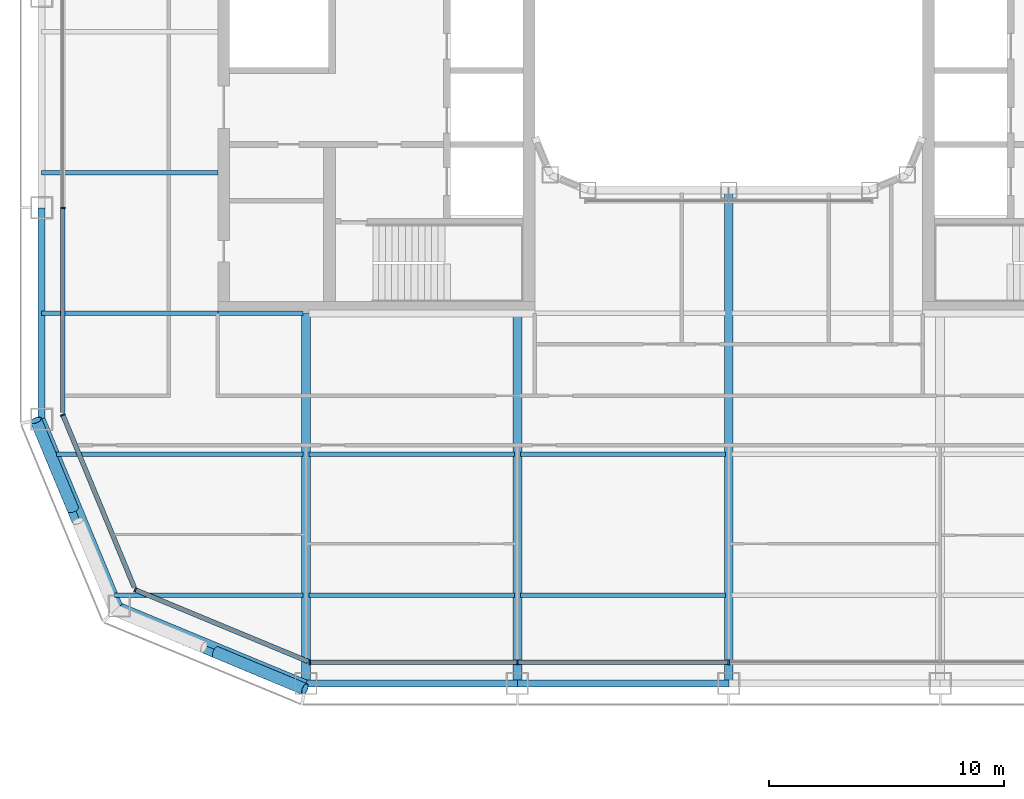
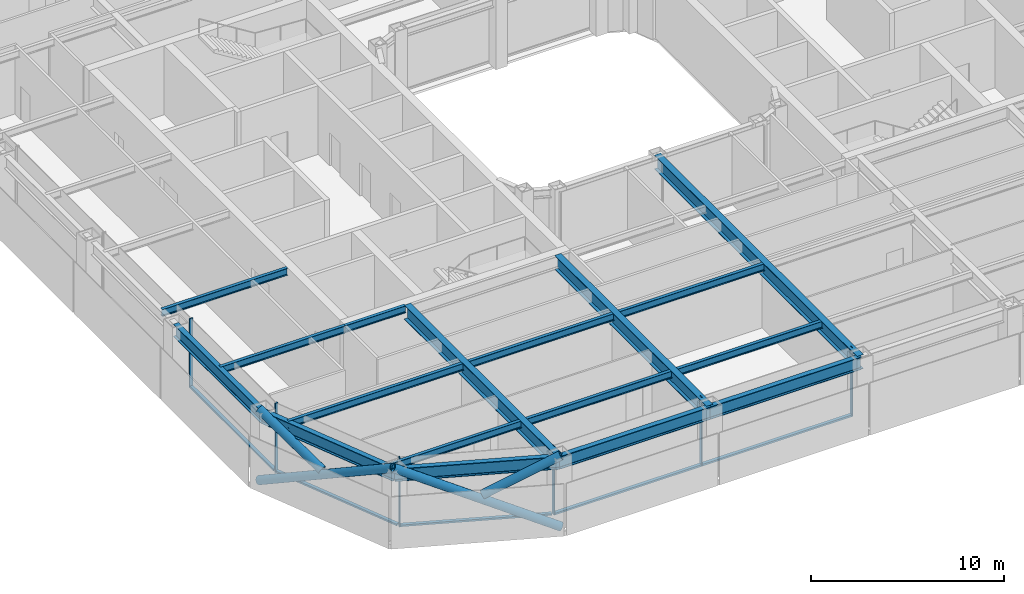
# One storey, part 2 of 23: 17 beams, 15 members, 4 elements without a shape of their own.
"""IFC4 building model written with IfcOpenShell, lengths in metres."""

from ifc_helpers import new_model, si_unit, direction, frame, origin, origin_2d, place, context, subcontext, project, spatial, rectangle, hollow_circle, i_section, extrude, material, layer, layer_set, material_profile, profile_set, type_object, element, aggregate, save


model = new_model("IFC4")

# Units and contexts
model_context = context("Model", 3, precision=1e-05, world=origin(), true_north=direction((0.0, 1.0)))
body_context = subcontext(model_context, "Body", "Model", "MODEL_VIEW")
ifc_project = project(units=[si_unit("LENGTHUNIT", "METRE"), si_unit("AREAUNIT", "SQUARE_METRE"), si_unit("VOLUMEUNIT", "CUBIC_METRE"), si_unit("PLANEANGLEUNIT", "RADIAN"), si_unit("MASSUNIT", "GRAM", prefix="KILO")], contexts=[model_context])

# Site, building, storey
site_placement = place(None, origin())
site = spatial("IfcSite", under=ifc_project, at=site_placement, CompositionType="ELEMENT")
building_placement = place(site_placement, origin())
building = spatial("IfcBuilding", under=site, at=building_placement, Name="Siwar Civic Tower", CompositionType="ELEMENT")
storey_placement = place(building_placement, frame((0.0, 0.0, 109.199951171875)))
storey = spatial("IfcBuildingStorey", under=building, at=storey_placement, Name="L23", CompositionType="ELEMENT", Elevation=109.199951171875)

# Curtain wall, members
ifc_material_1 = material(Name="Aluminium and glass", Category="aluminium")
ifc_layer_1 = layer(ifc_material_1, 0.199951171875)
ifc_layer_set_1 = layer_set([ifc_layer_1], Name="Aluminium and glass")
curtain_wall_type_1 = type_object("IfcCurtainWallType", Name="ENV-CW-B", PredefinedType="NOTDEFINED", material=ifc_layer_set_1)
curtain_wall_1_placement = place(storey_placement, origin())
curtain_wall_1 = element("IfcCurtainWall", 1, at=curtain_wall_1_placement, inside=storey, type_object=curtain_wall_type_1, Name="Curtain wall B S", PredefinedType="NOTDEFINED")
ifc_material_2 = material(Name="Aluminium 6063-T6", Category="aluminium")
ifc_material_profile_1 = material_profile(ifc_material_2, rectangle(XDim=0.199951171875, YDim=0.06494140625, at=origin_2d()), Name="AL 200x65")
ifc_profile_set_1 = profile_set([ifc_material_profile_1], Name="Aluminium 6063-T6")
member_type_1 = type_object("IfcMemberType", Name="ENV-MULLION-B", PredefinedType="MULLION", material=ifc_profile_set_1)
member_1_placement = place(storey_placement, frame((-17.821044921875, -28.35009765625, 0.0), z_axis=(0.0, 0.0, 1.0), x_axis=(0.0, 1.0, 0.0)))
member_1 = element("IfcMember", 2, at=member_1_placement, type_object=member_type_1, Name="Mullion B S 1", PredefinedType="MULLION", context=body_context, shape_type="SweptSolid", body=[
    extrude(rectangle(XDim=0.199951171875, YDim=0.06494140625, at=origin_2d()), origin(), (0.0, 0.0, 1.0), 4.35009765625),
])
member_2_placement = place(storey_placement, frame((-9.0, -28.35009765625, 0.0), z_axis=(0.0, 0.0, 1.0), x_axis=(0.0, 1.0, 0.0)))
member_2 = element("IfcMember", 3, at=member_2_placement, type_object=member_type_1, Name="Mullion B S 2", PredefinedType="MULLION", context=body_context, shape_type="SweptSolid", body=[
    extrude(rectangle(XDim=0.199951171875, YDim=0.06494140625, at=origin_2d()), origin(), (0.0, 0.0, 1.0), 4.35009765625),
])
member_3_placement = place(storey_placement, frame((0.0, -28.35009765625, 0.0), z_axis=(0.0, 0.0, 1.0), x_axis=(0.0, 1.0, 0.0)))
member_3 = element("IfcMember", 4, at=member_3_placement, type_object=member_type_1, Name="Mullion B S 3", PredefinedType="MULLION", context=body_context, shape_type="SweptSolid", body=[
    extrude(rectangle(XDim=0.199951171875, YDim=0.06494140625, at=origin_2d()), origin(), (0.0, 0.0, 1.0), 4.35009765625),
])

# Curtain wall, member
curtain_wall_2_placement = place(storey_placement, origin())
curtain_wall_2 = element("IfcCurtainWall", 5, at=curtain_wall_2_placement, inside=storey, type_object=curtain_wall_type_1, Name="Curtain wall B W", PredefinedType="NOTDEFINED")
member_4_placement = place(storey_placement, frame((-28.35009765625, -9.0, 0.0), z_axis=(0.0, 0.0, 1.0), x_axis=(1.0, 0.0, 0.0)))
member_4 = element("IfcMember", 6, at=member_4_placement, type_object=member_type_1, Name="Mullion B W 4", PredefinedType="MULLION", context=body_context, shape_type="SweptSolid", body=[
    extrude(rectangle(XDim=0.199951171875, YDim=0.06494140625, at=origin_2d()), origin(), (0.0, 0.0, 1.0), 4.35009765625),
])

ifc_material_3 = material(Name="Aluminium clad insulated panel", Category="aluminium")
ifc_layer_2 = layer(ifc_material_3, 0.199951171875)
ifc_layer_set_2 = layer_set([ifc_layer_2], Name="Aluminium clad insulated panel")
curtain_wall_type_2 = type_object("IfcCurtainWallType", Name="ENV-CW-BX", PredefinedType="NOTDEFINED", material=ifc_layer_set_2)
curtain_wall_3_placement = place(storey_placement, origin())
curtain_wall_3 = element("IfcCurtainWall", 7, at=curtain_wall_3_placement, inside=storey, type_object=curtain_wall_type_2, Name="Curtain wall B SW1", PredefinedType="NOTDEFINED")
member_5_placement = place(storey_placement, frame((-28.35009765625, -17.821044921875, 0.0), z_axis=(0.0, 0.0, 1.0), x_axis=(0.923879532511, 0.382683432365, 0.0)))
member_5 = element("IfcMember", 8, at=member_5_placement, type_object=member_type_1, Name="Mullion B SW1 1", PredefinedType="MULLION", context=body_context, shape_type="SweptSolid", body=[
    extrude(rectangle(XDim=0.199951171875, YDim=0.06494140625, at=origin_2d()), origin(), (0.0, 0.0, 1.0), 4.35009765625),
])

curtain_wall_4_placement = place(storey_placement, origin())
curtain_wall_4 = element("IfcCurtainWall", 9, at=curtain_wall_4_placement, inside=storey, type_object=curtain_wall_type_2, Name="Curtain wall B SW2", PredefinedType="NOTDEFINED")
member_6_placement = place(storey_placement, frame((-25.26611328125, -25.26611328125, 0.0), z_axis=(0.0, 0.0, 1.0), x_axis=(0.382683432365, 0.923879532511, 0.0)))
member_6 = element("IfcMember", 10, at=member_6_placement, type_object=member_type_1, Name="Mullion B SW2 1", PredefinedType="MULLION", context=body_context, shape_type="SweptSolid", body=[
    extrude(rectangle(XDim=0.199951171875, YDim=0.06494140625, at=origin_2d()), origin(), (0.0, 0.0, 1.0), 4.35009765625),
])

# Member
ifc_material_4 = material(Name="Aluminium 6063-T6", Category="aluminium")
ifc_material_profile_2 = material_profile(ifc_material_4, rectangle(XDim=0.199951171875, YDim=0.110107421875, at=origin_2d()), Name="AL 200x110")
ifc_profile_set_2 = profile_set([ifc_material_profile_2], Name="Aluminium 6063-T6")
member_type_2 = type_object("IfcMemberType", Name="ENV-TRANSOM-B", PredefinedType="USERDEFINED", material=ifc_profile_set_2)
member_7_placement = place(storey_placement, frame((-17.78857421875, -28.35009765625, 0.054931640625), z_axis=(1.0, 0.0, 0.0), x_axis=(0.0, 1.0, 0.0)))
member_7 = element("IfcMember", 11, at=member_7_placement, type_object=member_type_2, Name="Transom B S 1", ObjectType="TRANSOM", PredefinedType="USERDEFINED", context=body_context, shape_type="SweptSolid", body=[
    extrude(rectangle(XDim=0.199951171875, YDim=0.110107421875, at=origin_2d()), origin(), (0.0, 0.0, 1.0), 8.756103515625),
])

member_8_placement = place(storey_placement, frame((-8.967529296875, -28.35009765625, 0.054931640625), z_axis=(1.0, 0.0, 0.0), x_axis=(0.0, 1.0, 0.0)))
member_8 = element("IfcMember", 12, at=member_8_placement, type_object=member_type_2, Name="Transom B S 2", ObjectType="TRANSOM", PredefinedType="USERDEFINED", context=body_context, shape_type="SweptSolid", body=[
    extrude(rectangle(XDim=0.199951171875, YDim=0.110107421875, at=origin_2d()), origin(), (0.0, 0.0, 1.0), 8.93505859375),
])

aggregate(curtain_wall_1, [member_1, member_2, member_3, member_7, member_8])

member_9_placement = place(storey_placement, frame((-28.35009765625, -9.032470703125, 0.054931640625), z_axis=(0.0, -1.0, 0.0), x_axis=(1.0, 0.0, 0.0)))
member_9 = element("IfcMember", 13, at=member_9_placement, type_object=member_type_2, Name="Transom B W 4", ObjectType="TRANSOM", PredefinedType="USERDEFINED", context=body_context, shape_type="SweptSolid", body=[
    extrude(rectangle(XDim=0.199951171875, YDim=0.110107421875, at=origin_2d()), origin(), (0.0, 0.0, 1.0), 8.6748046875),
])

aggregate(curtain_wall_2, [member_4, member_9])

member_10_placement = place(storey_placement, frame((-28.337646484375, -17.85107421875, 0.054931640625), z_axis=(0.382699695651, -0.92387279587, 0.0), x_axis=(0.92387279587, 0.382699695651, 0.0)))
member_10 = element("IfcMember", 14, at=member_10_placement, type_object=member_type_2, Name="Transom B SW1 1", ObjectType="TRANSOM", PredefinedType="USERDEFINED", context=body_context, shape_type="SweptSolid", body=[
    extrude(rectangle(XDim=0.199951171875, YDim=0.110107421875, at=origin_2d()), origin(), (0.0, 0.0, 1.0), 7.912353515625),
])

aggregate(curtain_wall_3, [member_5, member_10])

member_11_placement = place(storey_placement, frame((-25.236083984375, -25.278564453125, 0.054931640625), z_axis=(0.923883705044, -0.382673358825, 0.0), x_axis=(0.382673358825, 0.923883705044, 0.0)))
member_11 = element("IfcMember", 15, at=member_11_placement, type_object=member_type_2, Name="Transom B SW2 1", ObjectType="TRANSOM", PredefinedType="USERDEFINED", context=body_context, shape_type="SweptSolid", body=[
    extrude(rectangle(XDim=0.199951171875, YDim=0.110107421875, at=origin_2d()), origin(), (0.0, 0.0, 1.0), 7.912353515625),
])

aggregate(curtain_wall_4, [member_6, member_11])

# Members
ifc_material_5 = material(Name="Steel S355", Category="steel")
ifc_material_profile_3 = material_profile(ifc_material_5, hollow_circle(Radius=0.25390625, WallThickness=0.02490234375, at=origin_2d()), Name="CHS508x25")
ifc_profile_set_3 = profile_set([ifc_material_profile_3], Name="Steel S355")
member_type_3 = type_object("IfcMemberType", Name="STR-BR-CHS508x25", PredefinedType="BRACE", material=ifc_profile_set_3)
member_12_placement = place(storey_placement, frame((-18.048828125, -29.4951171875, 0.0), z_axis=(-0.821142553604, 0.341671493852, 0.457149315816), x_axis=(-0.384163874976, -0.923264922524, 0.0)))
element("IfcMember", 16, at=member_12_placement, inside=storey, type_object=member_type_3, Name="L23/brc/BSW1-2-0-1", PredefinedType="BRACE", context=body_context, shape_type="SweptSolid", body=[
    extrude(hollow_circle(Radius=0.25390625, WallThickness=0.02490234375, at=origin_2d()), origin(), (0.0, 0.0, 1.0), 9.843505859375),
])
member_13_placement = place(storey_placement, frame((-21.837890625, -27.91845703125, 2.390625), z_axis=(0.821145902409, -0.34168558233, 0.457132770413), x_axis=(0.384176042158, 0.923259859753, 0.0)))
element("IfcMember", 17, at=member_13_placement, inside=storey, type_object=member_type_3, Name="L23/brc/BSW1-2-0-3", PredefinedType="BRACE", context=body_context, shape_type="SweptSolid", body=[
    extrude(hollow_circle(Radius=0.25390625, WallThickness=0.02490234375, at=origin_2d()), origin(), (0.0, 0.0, 1.0), 4.6142578125),
])
member_14_placement = place(storey_placement, frame((-29.4951171875, -18.048828125, 0.0), z_axis=(0.341671493852, -0.821142553604, 0.457149315816), x_axis=(0.923264922524, 0.384163874976, 0.0)))
element("IfcMember", 18, at=member_14_placement, inside=storey, type_object=member_type_3, Name="L23/brc/BSW1-2-0-0", PredefinedType="BRACE", context=body_context, shape_type="SweptSolid", body=[
    extrude(hollow_circle(Radius=0.25390625, WallThickness=0.02490234375, at=origin_2d()), origin(), (0.0, 0.0, 1.0), 9.843505859375),
])
member_15_placement = place(storey_placement, frame((-27.91845703125, -21.837890625, 2.390625), z_axis=(-0.34168558233, 0.821145902409, 0.457132770413), x_axis=(-0.923259859753, -0.384176042158, 0.0)))
element("IfcMember", 19, at=member_15_placement, inside=storey, type_object=member_type_3, Name="L23/brc/BSW1-2-0-5", PredefinedType="BRACE", context=body_context, shape_type="SweptSolid", body=[
    extrude(hollow_circle(Radius=0.25390625, WallThickness=0.02490234375, at=origin_2d()), origin(), (0.0, 0.0, 1.0), 4.6142578125),
])

# Beams
ifc_material_6 = material(Name="Steel S355", Category="steel")
ifc_material_profile_4 = material_profile(ifc_material_6, i_section(OverallWidth=0.18994140625, OverallDepth=0.449951171875, WebThickness=0.009521484375, FlangeThickness=0.0146484375, FilletRadius=0.02099609375, at=origin_2d()), Name="IPE450")
ifc_profile_set_4 = profile_set([ifc_material_profile_4], Name="Steel S355")
beam_type_1 = type_object("IfcBeamType", Name="STR-FB-IPE450", PredefinedType="JOIST", material=ifc_profile_set_4)
beam_1_placement = place(storey_placement, frame((-26.143310546875, -25.5, 4.125), z_axis=(1.0, 0.0, 0.0), x_axis=(0.0, 1.0, 0.0)))
element("IfcBeam", 20, at=beam_1_placement, inside=storey, type_object=beam_type_1, Name="L23/bm/F001", PredefinedType="JOIST", context=body_context, shape_type="SweptSolid", body=[
    extrude(i_section(OverallWidth=0.18994140625, OverallDepth=0.449951171875, WebThickness=0.009521484375, FlangeThickness=0.0146484375, FilletRadius=0.02099609375, at=origin_2d()), origin(), (0.0, 0.0, 1.0), 8.013427734375),
])
for number, where, z_axis, x_axis, name in (
    (21, (-17.8701171875, -25.5, 4.125), (1.0, 0.0, 0.0), (0.0, 1.0, 0.0), "L23/bm/F002"),
    (22, (-8.8701171875, -25.5, 4.125), (1.0, 0.0, 0.0), (0.0, 1.0, 0.0), "L23/bm/F003"),
):
    element("IfcBeam", number, at=place(storey_placement, frame(where, z_axis=z_axis, x_axis=x_axis)), inside=storey, type_object=beam_type_1, Name=name, PredefinedType="JOIST", context=body_context, shape_type="SweptSolid", body=[
        extrude(i_section(OverallWidth=0.18994140625, OverallDepth=0.449951171875, WebThickness=0.009521484375, FlangeThickness=0.0146484375, FilletRadius=0.02099609375, at=origin_2d()), origin(), (0.0, 0.0, 1.0), 8.740234375),
    ])
beam_2_placement = place(storey_placement, frame((-28.628662109375, -19.5, 4.125), z_axis=(1.0, 0.0, 0.0), x_axis=(0.0, 1.0, 0.0)))
element("IfcBeam", 23, at=beam_2_placement, inside=storey, type_object=beam_type_1, Name="L23/bm/F007", PredefinedType="JOIST", context=body_context, shape_type="SweptSolid", body=[
    extrude(i_section(OverallWidth=0.18994140625, OverallDepth=0.449951171875, WebThickness=0.009521484375, FlangeThickness=0.0146484375, FilletRadius=0.02099609375, at=origin_2d()), origin(), (0.0, 0.0, 1.0), 10.498779296875),
])
for number, where, z_axis, x_axis, name in (
    (24, (-17.8701171875, -19.5, 4.125), (1.0, 0.0, 0.0), (0.0, 1.0, 0.0), "L23/bm/F008"),
    (25, (-8.8701171875, -19.5, 4.125), (1.0, 0.0, 0.0), (0.0, 1.0, 0.0), "L23/bm/F009"),
):
    element("IfcBeam", number, at=place(storey_placement, frame(where, z_axis=z_axis, x_axis=x_axis)), inside=storey, type_object=beam_type_1, Name=name, PredefinedType="JOIST", context=body_context, shape_type="SweptSolid", body=[
        extrude(i_section(OverallWidth=0.18994140625, OverallDepth=0.449951171875, WebThickness=0.009521484375, FlangeThickness=0.0146484375, FilletRadius=0.02099609375, at=origin_2d()), origin(), (0.0, 0.0, 1.0), 8.740234375),
    ])
beam_3_placement = place(storey_placement, frame((-29.25, -13.5, 4.125), z_axis=(1.0, 0.0, 0.0), x_axis=(0.0, 1.0, 0.0)))
element("IfcBeam", 26, at=beam_3_placement, inside=storey, type_object=beam_type_1, Name="L23/bm/F013", PredefinedType="JOIST", context=body_context, shape_type="SweptSolid", body=[
    extrude(i_section(OverallWidth=0.18994140625, OverallDepth=0.449951171875, WebThickness=0.009521484375, FlangeThickness=0.0146484375, FilletRadius=0.02099609375, at=origin_2d()), origin(), (0.0, 0.0, 1.0), 7.5),
])
beam_4_placement = place(storey_placement, frame((-21.75, -13.5, 4.125), z_axis=(1.0, 0.0, 0.0), x_axis=(0.0, 1.0, 0.0)))
element("IfcBeam", 27, at=beam_4_placement, inside=storey, type_object=beam_type_1, Name="L23/bm/F014", PredefinedType="JOIST", context=body_context, shape_type="SweptSolid", body=[
    extrude(i_section(OverallWidth=0.18994140625, OverallDepth=0.449951171875, WebThickness=0.009521484375, FlangeThickness=0.0146484375, FilletRadius=0.02099609375, at=origin_2d()), origin(), (0.0, 0.0, 1.0), 3.6201171875),
])
beam_5_placement = place(storey_placement, frame((-29.25, -7.5, 4.125), z_axis=(1.0, 0.0, 0.0), x_axis=(0.0, 1.0, 0.0)))
element("IfcBeam", 28, at=beam_5_placement, inside=storey, type_object=beam_type_1, Name="L23/bm/F021", PredefinedType="JOIST", context=body_context, shape_type="SweptSolid", body=[
    extrude(i_section(OverallWidth=0.18994140625, OverallDepth=0.449951171875, WebThickness=0.009521484375, FlangeThickness=0.0146484375, FilletRadius=0.02099609375, at=origin_2d()), origin(), (0.0, 0.0, 1.0), 7.5),
])
ifc_material_7 = material(Name="Steel S355", Category="steel")
ifc_material_profile_5 = material_profile(ifc_material_7, i_section(OverallWidth=0.3798828125, OverallDepth=0.89990234375, WebThickness=0.01611328125, FlangeThickness=0.035888671875, at=origin_2d()), Name="PG900x380x16x36")
ifc_profile_set_5 = profile_set([ifc_material_profile_5], Name="Steel S355")
beam_type_2 = type_object("IfcBeamType", Name="STR-PG-PG900x380x16x36", PredefinedType="BEAM", material=ifc_profile_set_5)
for number, where, z_axis, x_axis, name in (
    (29, (-18.0, -29.25, 3.900146484375), (0.0, 1.0, 0.0), (-1.0, 0.0, 0.0), "L23/bm/G01"),
    (30, (-9.0, -29.25, 3.900146484375), (0.0, 1.0, 0.0), (-1.0, 0.0, 0.0), "L23/bm/G03"),
):
    element("IfcBeam", number, at=place(storey_placement, frame(where, z_axis=z_axis, x_axis=x_axis)), inside=storey, type_object=beam_type_2, Name=name, PredefinedType="BEAM", context=body_context, shape_type="SweptSolid", body=[
        extrude(i_section(OverallWidth=0.3798828125, OverallDepth=0.89990234375, WebThickness=0.01611328125, FlangeThickness=0.035888671875, at=origin_2d()), origin(), (0.0, 0.0, 1.0), 15.75),
    ])
beam_6_placement = place(storey_placement, frame((0.0, -29.25, 3.900146484375), z_axis=(0.0, 1.0, 0.0), x_axis=(-1.0, 0.0, 0.0)))
element("IfcBeam", 31, at=beam_6_placement, inside=storey, type_object=beam_type_2, Name="L23/bm/G05", PredefinedType="BEAM", context=body_context, shape_type="SweptSolid", body=[
    extrude(i_section(OverallWidth=0.3798828125, OverallDepth=0.89990234375, WebThickness=0.01611328125, FlangeThickness=0.035888671875, at=origin_2d()), origin(), (0.0, 0.0, 1.0), 21.0),
])
ifc_material_8 = material(Name="Steel S355", Category="steel")
ifc_material_profile_6 = material_profile(ifc_material_8, i_section(OverallWidth=0.300048828125, OverallDepth=0.800048828125, WebThickness=0.017578125, FlangeThickness=0.032958984375, FilletRadius=0.030029296875, at=origin_2d()), Name="HEB800")
ifc_profile_set_6 = profile_set([ifc_material_profile_6], Name="Steel S355")
beam_type_3 = type_object("IfcBeamType", Name="STR-SB-HEB800", PredefinedType="BEAM", material=ifc_profile_set_6)
for number, where, z_axis, x_axis, name in (
    (32, (-18.0, -29.25, 3.949951171875), (1.0, 0.0, 0.0), (0.0, 1.0, 0.0), "L23/bm/SS-0"),
    (33, (-9.0, -29.25, 3.949951171875), (1.0, 0.0, 0.0), (0.0, 1.0, 0.0), "L23/bm/SS-1"),
    (34, (-29.25, -9.0, 3.949951171875), (0.0, -1.0, 0.0), (1.0, 0.0, 0.0), "L23/bm/SW-3"),
):
    element("IfcBeam", number, at=place(storey_placement, frame(where, z_axis=z_axis, x_axis=x_axis)), inside=storey, type_object=beam_type_3, Name=name, PredefinedType="BEAM", context=body_context, shape_type="SweptSolid", body=[
        extrude(i_section(OverallWidth=0.300048828125, OverallDepth=0.800048828125, WebThickness=0.017578125, FlangeThickness=0.032958984375, FilletRadius=0.030029296875, at=origin_2d()), origin(), (0.0, 0.0, 1.0), 9.0),
    ])
for number, where, z_axis, x_axis, name in (
    (35, (-29.25, -18.0, 3.949951171875), (0.382699877515, -0.923872720536, 0.0), (0.923872720536, 0.382699877515, 0.0), "L23/bm/SSW1-0"),
    (36, (-25.954833984375, -25.954833984375, 3.949951171875), (0.923872720536, -0.382699877515, 0.0), (0.382699877515, 0.923872720536, 0.0), "L23/bm/SSW2-0"),
):
    element("IfcBeam", number, at=place(storey_placement, frame(where, z_axis=z_axis, x_axis=x_axis)), inside=storey, type_object=beam_type_3, Name=name, PredefinedType="BEAM", context=body_context, shape_type="SweptSolid", body=[
        extrude(i_section(OverallWidth=0.300048828125, OverallDepth=0.800048828125, WebThickness=0.017578125, FlangeThickness=0.032958984375, FilletRadius=0.030029296875, at=origin_2d()), origin(), (0.0, 0.0, 1.0), 8.6103515625),
    ])

save(model, "model.ifc")
